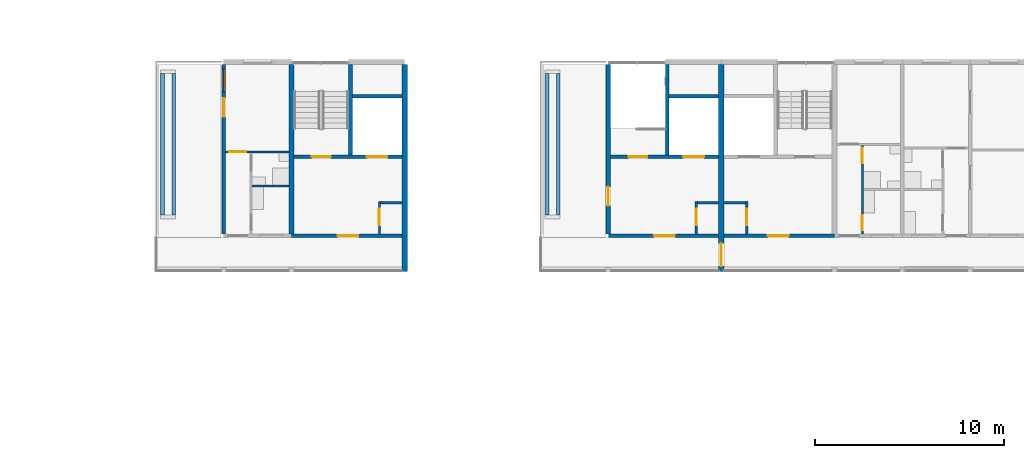
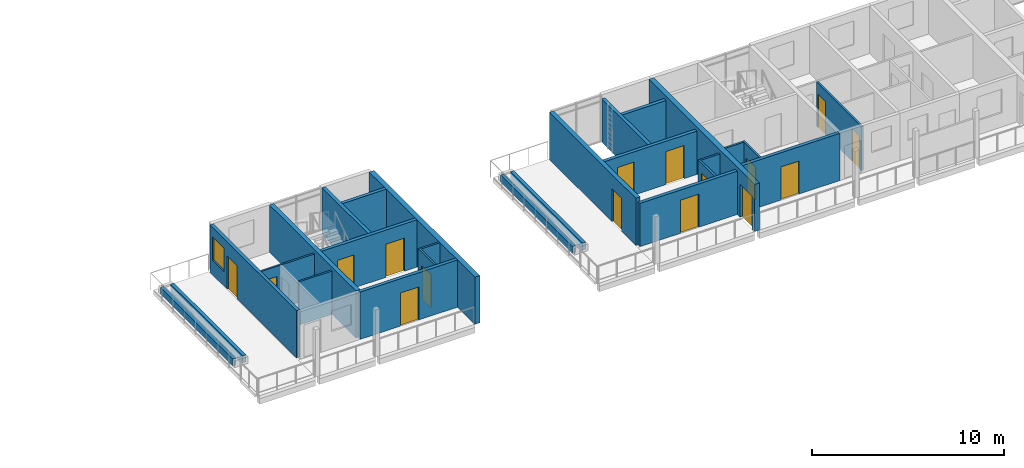
# One storey, part 52 of 87: 27 walls, 16 doors, 1 window, 17 openings.
"""IFC4 building model written with IfcOpenShell, lengths in metres."""

from ifc_helpers import new_model, si_unit, direction, frame, frame_2d, origin, place, context, subcontext, project, spatial, rectangle, extrude, material, layer, layer_set, type_object, element, fill, save


model = new_model("IFC4")

# Units and contexts
model_context = context("Model", 3, precision=1e-05, world=origin(), true_north=direction((0.0, 1.0)))
body_context = subcontext(model_context, "Body", "Model", "MODEL_VIEW")
ifc_project = project(units=[si_unit("LENGTHUNIT", "METRE"), si_unit("AREAUNIT", "SQUARE_METRE"), si_unit("VOLUMEUNIT", "CUBIC_METRE"), si_unit("PLANEANGLEUNIT", "RADIAN"), si_unit("MASSUNIT", "GRAM", prefix="KILO")], contexts=[model_context])

# Site, building, storey
site_placement = place(None, origin())
site = spatial("IfcSite", under=ifc_project, at=site_placement, CompositionType="ELEMENT")
building_placement = place(site_placement, origin())
building = spatial("IfcBuilding", under=site, at=building_placement, Name="Ridgestep Commons", CompositionType="ELEMENT")
storey_placement = place(building_placement, frame((0.0, 0.0, 27.0)))
storey = spatial("IfcBuildingStorey", under=building, at=storey_placement, Name="L09", CompositionType="ELEMENT", Elevation=27.0)

# Wall
ifc_material_1 = material(Name="Concrete C30/37", Category="concrete")
ifc_layer_1 = layer(ifc_material_1, 0.25)
ifc_layer_set_1 = layer_set([ifc_layer_1], Name="Core cross wall 250")
wall_type_1 = type_object("IfcWallType", Name="Core cross wall 250", PredefinedType="SHEAR", material=ifc_layer_set_1)
wall_1_placement = place(storey_placement, frame((157.60009765625, 68.0, 0.0), z_axis=(0.0, 0.0, 1.0), x_axis=(0.0, 1.0, 0.0)))
element("IfcWall", 1, at=wall_1_placement, inside=storey, type_object=wall_type_1, Name="Cross wall C-09-1576", PredefinedType="SHEAR", context=body_context, shape_type="SweptSolid", body=[
    extrude(rectangle(XDim=9.0, YDim=0.25, at=frame_2d((4.5, 0.0))), origin(), (0.0, 0.0, 1.0), 3.0),
])

# Wall, opening, door
ifc_material_2 = material(Name="Concrete C30/37", Category="concrete")
ifc_layer_2 = layer(ifc_material_2, 0.199951171875)
ifc_layer_set_2 = layer_set([ifc_layer_2], Name="Core south wall 200")
wall_type_2 = type_object("IfcWallType", Name="Core south wall 200", PredefinedType="SHEAR", material=ifc_layer_set_2)
wall_2_placement = place(storey_placement, frame((157.60009765625, 67.89990234375, 0.0), z_axis=(0.0, 0.0, 1.0), x_axis=(1.0, 0.0, 0.0)))
wall_2 = element("IfcWall", 2, at=wall_2_placement, inside=storey, type_object=wall_type_2, Name="Core south wall C1C L09", PredefinedType="SHEAR", context=body_context, shape_type="SweptSolid", body=[
    extrude(rectangle(XDim=5.849853515625, YDim=0.199951171875, at=frame_2d((2.9248046875, 0.0))), origin(), (0.0, 0.0, 1.0), 3.0),
])
opening_1_placement = place(wall_2_placement, frame((2.4375, 0.0, 0.0)))
opening_1 = element("IfcOpeningElement", 3, at=opening_1_placement, cuts=wall_2, Name="Opening C1C/09/1", PredefinedType="OPENING", context=body_context, shape_type="SweptSolid", body=[
    extrude(rectangle(XDim=1.10009765625, YDim=2.10009765625, at=frame_2d((0.550048828125, 1.050048828125))), frame((0.0, 0.10986328125, 0.0), z_axis=(0.0, -1.0, 0.0), x_axis=(1.0, 0.0, 0.0)), (0.0, 0.0, 1.0), 0.219970703125),
])
ifc_material_3 = material(Name="Steel fire door", Category="steel")
door_type_1 = type_object("IfcDoorType", Name="Lobby door 1100 x 2100 FD60", OperationType="NOTDEFINED", PredefinedType="DOOR", material=ifc_material_3)
door_1_placement = place(opening_1_placement, origin())
door_1 = element("IfcDoor", 4, at=door_1_placement, inside=storey, type_object=door_type_1, Name="Lobby door C1C/09/1", OperationType="SINGLE_SWING_LEFT", OverallHeight=2.10009765625, OverallWidth=1.10009765625, PredefinedType="DOOR", context=body_context, shape_type="SweptSolid", body=[
    extrude(rectangle(XDim=1.10009765625, YDim=2.10009765625, at=frame_2d((0.550048828125, 1.050048828125))), frame((0.0, 0.02490234375, 0.0), z_axis=(0.0, -1.0, 0.0), x_axis=(1.0, 0.0, 0.0)), (0.0, 0.0, 1.0), 0.050048828125),
])
fill(opening_1, door_1)

wall_3_placement = place(storey_placement, frame((174.39990234375, 67.89990234375, 0.0), z_axis=(0.0, 0.0, 1.0), x_axis=(1.0, 0.0, 0.0)))
wall_3 = element("IfcWall", 5, at=wall_3_placement, inside=storey, type_object=wall_type_2, Name="Core south wall C2C L09", PredefinedType="SHEAR", context=body_context, shape_type="SweptSolid", body=[
    extrude(rectangle(XDim=5.85009765625, YDim=0.199951171875, at=frame_2d((2.925048828125, 0.0))), origin(), (0.0, 0.0, 1.0), 2.75),
])
opening_2_placement = place(wall_3_placement, frame((2.4375, 0.0, 0.0)))
opening_2 = element("IfcOpeningElement", 6, at=opening_2_placement, cuts=wall_3, Name="Opening C2C/09/1", PredefinedType="OPENING", context=body_context, shape_type="SweptSolid", body=[
    extrude(rectangle(XDim=1.10009765625, YDim=2.10009765625, at=frame_2d((0.550048828125, 1.050048828125))), frame((0.0, 0.10986328125, 0.0), z_axis=(0.0, -1.0, 0.0), x_axis=(1.0, 0.0, 0.0)), (0.0, 0.0, 1.0), 0.219970703125),
])
door_2_placement = place(opening_2_placement, origin())
door_2 = element("IfcDoor", 7, at=door_2_placement, inside=storey, type_object=door_type_1, Name="Lobby door C2C/09/1", OperationType="SINGLE_SWING_LEFT", OverallHeight=2.10009765625, OverallWidth=1.10009765625, PredefinedType="DOOR", context=body_context, shape_type="SweptSolid", body=[
    extrude(rectangle(XDim=1.10009765625, YDim=2.10009765625, at=frame_2d((0.550048828125, 1.050048828125))), frame((0.0, 0.02490234375, 0.0), z_axis=(0.0, -1.0, 0.0), x_axis=(1.0, 0.0, 0.0)), (0.0, 0.0, 1.0), 0.050048828125),
])
fill(opening_2, door_2)

wall_4_placement = place(storey_placement, frame((180.550048828125, 67.89990234375, 0.0), z_axis=(0.0, 0.0, 1.0), x_axis=(1.0, 0.0, 0.0)))
wall_4 = element("IfcWall", 8, at=wall_4_placement, inside=storey, type_object=wall_type_2, Name="Core south wall C3C L09", PredefinedType="SHEAR", context=body_context, shape_type="SweptSolid", body=[
    extrude(rectangle(XDim=5.849853515625, YDim=0.199951171875, at=frame_2d((2.9248046875, 0.0))), origin(), (0.0, 0.0, 1.0), 3.0),
])
opening_3_placement = place(wall_4_placement, frame((2.3125, 0.0, 0.0)))
opening_3 = element("IfcOpeningElement", 9, at=opening_3_placement, cuts=wall_4, Name="Opening C3C/09/1", PredefinedType="OPENING", context=body_context, shape_type="SweptSolid", body=[
    extrude(rectangle(XDim=1.10009765625, YDim=2.10009765625, at=frame_2d((0.550048828125, 1.050048828125))), frame((0.0, 0.10986328125, 0.0), z_axis=(0.0, -1.0, 0.0), x_axis=(1.0, 0.0, 0.0)), (0.0, 0.0, 1.0), 0.219970703125),
])
door_3_placement = place(opening_3_placement, origin())
door_3 = element("IfcDoor", 10, at=door_3_placement, inside=storey, type_object=door_type_1, Name="Lobby door C3C/09/1", OperationType="SINGLE_SWING_LEFT", OverallHeight=2.10009765625, OverallWidth=1.10009765625, PredefinedType="DOOR", context=body_context, shape_type="SweptSolid", body=[
    extrude(rectangle(XDim=1.10009765625, YDim=2.10009765625, at=frame_2d((0.550048828125, 1.050048828125))), frame((0.0, 0.02490234375, 0.0), z_axis=(0.0, -1.0, 0.0), x_axis=(1.0, 0.0, 0.0)), (0.0, 0.0, 1.0), 0.050048828125),
])
fill(opening_3, door_3)

ifc_material_4 = material(Name="Concrete C30/37", Category="concrete")
ifc_layer_3 = layer(ifc_material_4, 0.1201171875)
ifc_layer_set_3 = layer_set([ifc_layer_3], Name="Core wall 120")
wall_type_3 = type_object("IfcWallType", Name="Core wall 120", PredefinedType="SHEAR", material=ifc_layer_set_3)
wall_5_placement = place(storey_placement, frame((162.260009765625, 68.0, 0.0), z_axis=(0.0, 0.0, 1.0), x_axis=(0.0, 1.0, 0.0)))
wall_5 = element("IfcWall", 11, at=wall_5_placement, inside=storey, type_object=wall_type_3, Name="Core riser w wall C1C L09", PredefinedType="SHEAR", context=body_context, shape_type="SweptSolid", body=[
    extrude(rectangle(XDim=1.719970703125, YDim=0.1201171875, at=frame_2d((0.85986328125, 0.0))), origin(), (0.0, 0.0, 1.0), 3.0),
])
opening_4_placement = place(wall_5_placement, frame((0.449951171875, 0.0, 0.0)))
opening_4 = element("IfcOpeningElement", 12, at=opening_4_placement, cuts=wall_5, Name="Opening C1C/09/4", PredefinedType="OPENING", context=body_context, shape_type="SweptSolid", body=[
    extrude(rectangle(XDim=0.89990234375, YDim=2.10009765625, at=frame_2d((0.449951171875, 1.050048828125))), frame((0.0, 0.070068359375, 0.0), z_axis=(0.0, -1.0, 0.0), x_axis=(1.0, 0.0, 0.0)), (0.0, 0.0, 1.0), 0.14013671875),
])
ifc_material_5 = material(Name="Steel fire door", Category="steel")
door_type_2 = type_object("IfcDoorType", Name="Riser door 900 x 2100 FD60", OperationType="NOTDEFINED", PredefinedType="DOOR", material=ifc_material_5)
door_4_placement = place(opening_4_placement, origin())
door_4 = element("IfcDoor", 13, at=door_4_placement, inside=storey, type_object=door_type_2, Name="Riser door C1C/09/4", OperationType="SINGLE_SWING_LEFT", OverallHeight=2.10009765625, OverallWidth=0.89990234375, PredefinedType="DOOR", context=body_context, shape_type="SweptSolid", body=[
    extrude(rectangle(XDim=0.89990234375, YDim=2.10009765625, at=frame_2d((0.449951171875, 1.050048828125))), frame((0.0, 0.02490234375, 0.0), z_axis=(0.0, -1.0, 0.0), x_axis=(1.0, 0.0, 0.0)), (0.0, 0.0, 1.0), 0.050048828125),
])
fill(opening_4, door_4)

# Wall
wall_6_placement = place(storey_placement, frame((162.320068359375, 69.659912109375, 0.0), z_axis=(0.0, 0.0, 1.0), x_axis=(1.0, 0.0, 0.0)))
element("IfcWall", 14, at=wall_6_placement, inside=storey, type_object=wall_type_3, Name="Core riser n wall C1C L09", PredefinedType="SHEAR", context=body_context, shape_type="SweptSolid", body=[
    extrude(rectangle(XDim=1.1298828125, YDim=0.1201171875, at=frame_2d((0.56494140625, 0.0))), origin(), (0.0, 0.0, 1.0), 3.0),
])

# Wall, opening, door
wall_7_placement = place(storey_placement, frame((179.06005859375, 68.0, 0.0), z_axis=(0.0, 0.0, 1.0), x_axis=(0.0, 1.0, 0.0)))
wall_7 = element("IfcWall", 15, at=wall_7_placement, inside=storey, type_object=wall_type_3, Name="Core riser w wall C2C L09", PredefinedType="SHEAR", context=body_context, shape_type="SweptSolid", body=[
    extrude(rectangle(XDim=1.719970703125, YDim=0.1201171875, at=frame_2d((0.85986328125, 0.0))), origin(), (0.0, 0.0, 1.0), 2.75),
])
opening_5_placement = place(wall_7_placement, frame((0.449951171875, 0.0, 0.0)))
opening_5 = element("IfcOpeningElement", 16, at=opening_5_placement, cuts=wall_7, Name="Opening C2C/09/4", PredefinedType="OPENING", context=body_context, shape_type="SweptSolid", body=[
    extrude(rectangle(XDim=0.89990234375, YDim=2.10009765625, at=frame_2d((0.449951171875, 1.050048828125))), frame((0.0, 0.070068359375, 0.0), z_axis=(0.0, -1.0, 0.0), x_axis=(1.0, 0.0, 0.0)), (0.0, 0.0, 1.0), 0.14013671875),
])
door_5_placement = place(opening_5_placement, origin())
door_5 = element("IfcDoor", 17, at=door_5_placement, inside=storey, type_object=door_type_2, Name="Riser door C2C/09/4", OperationType="SINGLE_SWING_LEFT", OverallHeight=2.10009765625, OverallWidth=0.89990234375, PredefinedType="DOOR", context=body_context, shape_type="SweptSolid", body=[
    extrude(rectangle(XDim=0.89990234375, YDim=2.10009765625, at=frame_2d((0.449951171875, 1.050048828125))), frame((0.0, 0.02490234375, 0.0), z_axis=(0.0, -1.0, 0.0), x_axis=(1.0, 0.0, 0.0)), (0.0, 0.0, 1.0), 0.050048828125),
])
fill(opening_5, door_5)

# Wall
wall_8_placement = place(storey_placement, frame((179.1201171875, 69.659912109375, 0.0), z_axis=(0.0, 0.0, 1.0), x_axis=(1.0, 0.0, 0.0)))
element("IfcWall", 18, at=wall_8_placement, inside=storey, type_object=wall_type_3, Name="Core riser n wall C2C L09", PredefinedType="SHEAR", context=body_context, shape_type="SweptSolid", body=[
    extrude(rectangle(XDim=1.1298828125, YDim=0.1201171875, at=frame_2d((0.56494140625, 0.0))), origin(), (0.0, 0.0, 1.0), 2.75),
])

# Wall, opening, door
wall_9_placement = place(storey_placement, frame((181.739990234375, 68.0, 0.0), z_axis=(0.0, 0.0, 1.0), x_axis=(0.0, 1.0, 0.0)))
wall_9 = element("IfcWall", 19, at=wall_9_placement, inside=storey, type_object=wall_type_3, Name="Core riser w wall C3C L09", PredefinedType="SHEAR", context=body_context, shape_type="SweptSolid", body=[
    extrude(rectangle(XDim=1.719970703125, YDim=0.1201171875, at=frame_2d((0.85986328125, 0.0))), origin(), (0.0, 0.0, 1.0), 3.0),
])
opening_6_placement = place(wall_9_placement, frame((0.449951171875, 0.0, 0.0)))
opening_6 = element("IfcOpeningElement", 20, at=opening_6_placement, cuts=wall_9, Name="Opening C3C/09/4", PredefinedType="OPENING", context=body_context, shape_type="SweptSolid", body=[
    extrude(rectangle(XDim=0.89990234375, YDim=2.10009765625, at=frame_2d((0.449951171875, 1.050048828125))), frame((0.0, 0.070068359375, 0.0), z_axis=(0.0, -1.0, 0.0), x_axis=(1.0, 0.0, 0.0)), (0.0, 0.0, 1.0), 0.14013671875),
])
door_6_placement = place(opening_6_placement, origin())
door_6 = element("IfcDoor", 21, at=door_6_placement, inside=storey, type_object=door_type_2, Name="Riser door C3C/09/4", OperationType="SINGLE_SWING_RIGHT", OverallHeight=2.10009765625, OverallWidth=0.89990234375, PredefinedType="DOOR", context=body_context, shape_type="SweptSolid", body=[
    extrude(rectangle(XDim=0.89990234375, YDim=2.10009765625, at=frame_2d((0.449951171875, 1.050048828125))), frame((0.0, 0.02490234375, 0.0), z_axis=(0.0, -1.0, 0.0), x_axis=(1.0, 0.0, 0.0)), (0.0, 0.0, 1.0), 0.050048828125),
])
fill(opening_6, door_6)

# Wall
wall_10_placement = place(storey_placement, frame((180.550048828125, 69.659912109375, 0.0), z_axis=(0.0, 0.0, 1.0), x_axis=(1.0, 0.0, 0.0)))
element("IfcWall", 22, at=wall_10_placement, inside=storey, type_object=wall_type_3, Name="Core riser n wall C3C L09", PredefinedType="SHEAR", context=body_context, shape_type="SweptSolid", body=[
    extrude(rectangle(XDim=1.1298828125, YDim=0.1201171875, at=frame_2d((0.56494140625, 0.0))), origin(), (0.0, 0.0, 1.0), 3.0),
])

# Wall, openings, doors
ifc_material_6 = material(Name="Concrete C30/37", Category="concrete")
ifc_layer_4 = layer(ifc_material_6, 0.199951171875)
ifc_layer_set_4 = layer_set([ifc_layer_4], Name="Core wall 200")
wall_type_4 = type_object("IfcWallType", Name="Core wall 200", PredefinedType="SHEAR", material=ifc_layer_set_4)
wall_11_placement = place(storey_placement, frame((157.72509765625, 72.10009765625, 0.0), z_axis=(0.0, 0.0, 1.0), x_axis=(1.0, 0.0, 0.0)))
wall_11 = element("IfcWall", 23, at=wall_11_placement, inside=storey, type_object=wall_type_4, Name="Core lobby wall C1C L09", PredefinedType="SHEAR", context=body_context, shape_type="SweptSolid", body=[
    extrude(rectangle(XDim=5.724853515625, YDim=0.199951171875, at=frame_2d((2.8623046875, 0.0))), origin(), (0.0, 0.0, 1.0), 3.0),
])
opening_7_placement = place(wall_11_placement, frame((0.949951171875, 0.0, 0.0)))
opening_7 = element("IfcOpeningElement", 24, at=opening_7_placement, cuts=wall_11, Name="Opening C1C/09/2", PredefinedType="OPENING", context=body_context, shape_type="SweptSolid", body=[
    extrude(rectangle(XDim=1.0, YDim=2.10009765625, at=frame_2d((0.5, 1.050048828125))), frame((0.0, 0.10986328125, 0.0), z_axis=(0.0, -1.0, 0.0), x_axis=(1.0, 0.0, 0.0)), (0.0, 0.0, 1.0), 0.219970703125),
])
opening_8_placement = place(wall_11_placement, frame((3.862548828125, 0.0, 0.0)))
opening_8 = element("IfcOpeningElement", 25, at=opening_8_placement, cuts=wall_11, Name="Opening C1C/09/3", PredefinedType="OPENING", context=body_context, shape_type="SweptSolid", body=[
    extrude(rectangle(XDim=1.10009765625, YDim=2.10009765625, at=frame_2d((0.550048828125, 1.050048828125))), frame((0.0, 0.10986328125, 0.0), z_axis=(0.0, -1.0, 0.0), x_axis=(1.0, 0.0, 0.0)), (0.0, 0.0, 1.0), 0.219970703125),
])
ifc_material_7 = material(Name="Stainless steel", Category="steel")
door_type_3 = type_object("IfcDoorType", Name="Lift landing door 1100 x 2100 FD60", OperationType="DOUBLE_DOOR_SLIDING", PredefinedType="DOOR", material=ifc_material_7)
door_7_placement = place(opening_8_placement, origin())
door_7 = element("IfcDoor", 26, at=door_7_placement, inside=storey, type_object=door_type_3, Name="Landing door LD C1C L09", OperationType="DOUBLE_DOOR_SLIDING", OverallHeight=2.10009765625, OverallWidth=1.10009765625, PredefinedType="DOOR", context=body_context, shape_type="SweptSolid", body=[
    extrude(rectangle(XDim=1.10009765625, YDim=2.10009765625, at=frame_2d((0.550048828125, 1.050048828125))), frame((0.0, 0.02490234375, 0.0), z_axis=(0.0, -1.0, 0.0), x_axis=(1.0, 0.0, 0.0)), (0.0, 0.0, 1.0), 0.050048828125),
])
fill(opening_8, door_7)
ifc_material_8 = material(Name="Steel fire door", Category="steel")
door_type_4 = type_object("IfcDoorType", Name="Stair door 1000 x 2100 FD60", OperationType="NOTDEFINED", PredefinedType="DOOR", material=ifc_material_8)
door_8_placement = place(opening_7_placement, origin())
door_8 = element("IfcDoor", 27, at=door_8_placement, inside=storey, type_object=door_type_4, Name="Stair door C1C/09/2", OperationType="SINGLE_SWING_RIGHT", OverallHeight=2.10009765625, OverallWidth=1.0, PredefinedType="DOOR", context=body_context, shape_type="SweptSolid", body=[
    extrude(rectangle(XDim=1.0, YDim=2.10009765625, at=frame_2d((0.5, 1.050048828125))), frame((0.0, 0.02490234375, 0.0), z_axis=(0.0, -1.0, 0.0), x_axis=(1.0, 0.0, 0.0)), (0.0, 0.0, 1.0), 0.050048828125),
])
fill(opening_7, door_8)

# Walls
wall_12_placement = place(storey_placement, frame((160.72509765625, 72.199951171875, 0.0), z_axis=(0.0, 0.0, 1.0), x_axis=(0.0, 1.0, 0.0)))
element("IfcWall", 28, at=wall_12_placement, inside=storey, type_object=wall_type_4, Name="Core stair wall C1C L09", PredefinedType="SHEAR", context=body_context, shape_type="SweptSolid", body=[
    extrude(rectangle(XDim=4.800048828125, YDim=0.199951171875, at=frame_2d((2.39990234375, 0.0))), origin(), (0.0, 0.0, 1.0), 3.0),
])
wall_13_placement = place(storey_placement, frame((160.824951171875, 75.300048828125, 0.0), z_axis=(0.0, 0.0, 1.0), x_axis=(1.0, 0.0, 0.0)))
element("IfcWall", 29, at=wall_13_placement, inside=storey, type_object=wall_type_4, Name="Core duct wall C1C L09", PredefinedType="SHEAR", context=body_context, shape_type="SweptSolid", body=[
    extrude(rectangle(XDim=2.625, YDim=0.199951171875, at=frame_2d((1.3125, 0.0))), origin(), (0.0, 0.0, 1.0), 3.0),
])

# Wall, openings, doors
wall_14_placement = place(storey_placement, frame((174.52490234375, 72.10009765625, 0.0), z_axis=(0.0, 0.0, 1.0), x_axis=(1.0, 0.0, 0.0)))
wall_14 = element("IfcWall", 30, at=wall_14_placement, inside=storey, type_object=wall_type_4, Name="Core lobby wall C2C L09", PredefinedType="SHEAR", context=body_context, shape_type="SweptSolid", body=[
    extrude(rectangle(XDim=5.72509765625, YDim=0.199951171875, at=frame_2d((2.862548828125, 0.0))), origin(), (0.0, 0.0, 1.0), 2.75),
])
opening_9_placement = place(wall_14_placement, frame((0.949951171875, 0.0, 0.0)))
opening_9 = element("IfcOpeningElement", 31, at=opening_9_placement, cuts=wall_14, Name="Opening C2C/09/2", PredefinedType="OPENING", context=body_context, shape_type="SweptSolid", body=[
    extrude(rectangle(XDim=1.0, YDim=2.10009765625, at=frame_2d((0.5, 1.050048828125))), frame((0.0, 0.10986328125, 0.0), z_axis=(0.0, -1.0, 0.0), x_axis=(1.0, 0.0, 0.0)), (0.0, 0.0, 1.0), 0.219970703125),
])
opening_10_placement = place(wall_14_placement, frame((3.862548828125, 0.0, 0.0)))
opening_10 = element("IfcOpeningElement", 32, at=opening_10_placement, cuts=wall_14, Name="Opening C2C/09/3", PredefinedType="OPENING", context=body_context, shape_type="SweptSolid", body=[
    extrude(rectangle(XDim=1.10009765625, YDim=2.10009765625, at=frame_2d((0.550048828125, 1.050048828125))), frame((0.0, 0.10986328125, 0.0), z_axis=(0.0, -1.0, 0.0), x_axis=(1.0, 0.0, 0.0)), (0.0, 0.0, 1.0), 0.219970703125),
])
door_9_placement = place(opening_10_placement, origin())
door_9 = element("IfcDoor", 33, at=door_9_placement, inside=storey, type_object=door_type_3, Name="Landing door LD C2C L09", OperationType="DOUBLE_DOOR_SLIDING", OverallHeight=2.10009765625, OverallWidth=1.10009765625, PredefinedType="DOOR", context=body_context, shape_type="SweptSolid", body=[
    extrude(rectangle(XDim=1.10009765625, YDim=2.10009765625, at=frame_2d((0.550048828125, 1.050048828125))), frame((0.0, 0.02490234375, 0.0), z_axis=(0.0, -1.0, 0.0), x_axis=(1.0, 0.0, 0.0)), (0.0, 0.0, 1.0), 0.050048828125),
])
fill(opening_10, door_9)
door_10_placement = place(opening_9_placement, origin())
door_10 = element("IfcDoor", 34, at=door_10_placement, inside=storey, type_object=door_type_4, Name="Stair door C2C/09/2", OperationType="SINGLE_SWING_RIGHT", OverallHeight=2.10009765625, OverallWidth=1.0, PredefinedType="DOOR", context=body_context, shape_type="SweptSolid", body=[
    extrude(rectangle(XDim=1.0, YDim=2.10009765625, at=frame_2d((0.5, 1.050048828125))), frame((0.0, 0.02490234375, 0.0), z_axis=(0.0, -1.0, 0.0), x_axis=(1.0, 0.0, 0.0)), (0.0, 0.0, 1.0), 0.050048828125),
])
fill(opening_9, door_10)

# Walls
wall_15_placement = place(storey_placement, frame((177.52490234375, 72.199951171875, 0.0), z_axis=(0.0, 0.0, 1.0), x_axis=(0.0, 1.0, 0.0)))
element("IfcWall", 35, at=wall_15_placement, inside=storey, type_object=wall_type_4, Name="Core stair wall C2C L09", PredefinedType="SHEAR", context=body_context, shape_type="SweptSolid", body=[
    extrude(rectangle(XDim=4.800048828125, YDim=0.199951171875, at=frame_2d((2.39990234375, 0.0))), origin(), (0.0, 0.0, 1.0), 2.75),
])
wall_16_placement = place(storey_placement, frame((177.625, 75.300048828125, 0.0), z_axis=(0.0, 0.0, 1.0), x_axis=(1.0, 0.0, 0.0)))
element("IfcWall", 36, at=wall_16_placement, inside=storey, type_object=wall_type_4, Name="Core duct wall C2C L09", PredefinedType="SHEAR", context=body_context, shape_type="SweptSolid", body=[
    extrude(rectangle(XDim=2.625, YDim=0.199951171875, at=frame_2d((1.3125, 0.0))), origin(), (0.0, 0.0, 1.0), 2.75),
])

# Wall, opening, door
ifc_material_9 = material(Name="Precast concrete C40/50", Category="concrete")
ifc_layer_5 = layer(ifc_material_9, 0.300048828125)
ifc_layer_set_5 = layer_set([ifc_layer_5], Name="Division wall 300")
wall_type_5 = type_object("IfcWallType", Name="Division wall 300", PredefinedType="SHEAR", material=ifc_layer_set_5)
wall_17_placement = place(storey_placement, frame((180.39990234375, 66.0, 0.0), z_axis=(0.0, 0.0, 1.0), x_axis=(0.0, 1.0, 0.0)))
wall_17 = element("IfcWall", 37, at=wall_17_placement, inside=storey, type_object=wall_type_5, Name="Cross wall C-09-1804", PredefinedType="SHEAR", context=body_context, shape_type="SweptSolid", body=[
    extrude(rectangle(XDim=11.0, YDim=0.300048828125, at=frame_2d((5.5, 0.0))), origin(), (0.0, 0.0, 1.0), 3.0),
])
opening_11_placement = place(wall_17_placement, frame((0.300048828125, 0.0, 0.0)))
opening_11 = element("IfcOpeningElement", 38, at=opening_11_placement, cuts=wall_17, Name="Opening C/09/G1804", PredefinedType="OPENING", context=body_context, shape_type="SweptSolid", body=[
    extrude(rectangle(XDim=1.199951171875, YDim=2.10009765625, at=frame_2d((0.60009765625, 1.050048828125))), frame((0.0, 0.159912109375, 0.0), z_axis=(0.0, -1.0, 0.0), x_axis=(1.0, 0.0, 0.0)), (0.0, 0.0, 1.0), 0.320068359375),
])
ifc_material_10 = material(Name="Steel fire door", Category="steel")
door_type_5 = type_object("IfcDoorType", Name="Division fire door 1200 x 2100 EI 240", OperationType="DOUBLE_DOOR_SINGLE_SWING", PredefinedType="DOOR", material=ifc_material_10)
door_11_placement = place(opening_11_placement, origin())
door_11 = element("IfcDoor", 39, at=door_11_placement, inside=storey, type_object=door_type_5, Name="Division fire door C/09/G1804", OperationType="DOUBLE_DOOR_SINGLE_SWING", OverallHeight=2.10009765625, OverallWidth=1.199951171875, PredefinedType="DOOR", context=body_context, shape_type="SweptSolid", body=[
    extrude(rectangle(XDim=1.199951171875, YDim=2.10009765625, at=frame_2d((0.60009765625, 1.050048828125))), frame((0.0, 0.02490234375, 0.0), z_axis=(0.0, -1.0, 0.0), x_axis=(1.0, 0.0, 0.0)), (0.0, 0.0, 1.0), 0.050048828125),
])
fill(opening_11, door_11)

ifc_material_11 = material(Name="Concrete C30/37", Category="concrete")
ifc_layer_6 = layer(ifc_material_11, 0.25)
ifc_layer_set_6 = layer_set([ifc_layer_6], Name="Exposed core cross wall 250")
wall_type_6 = type_object("IfcWallType", Name="Exposed core cross wall 250", PredefinedType="SHEAR", material=ifc_layer_set_6)
wall_18_placement = place(storey_placement, frame((174.39990234375, 68.0, 0.0), z_axis=(0.0, 0.0, 1.0), x_axis=(0.0, 1.0, 0.0)))
wall_18 = element("IfcWall", 40, at=wall_18_placement, inside=storey, type_object=wall_type_6, Name="Cross wall C-09-1744", PredefinedType="SHEAR", context=body_context, shape_type="SweptSolid", body=[
    extrude(rectangle(XDim=9.0, YDim=0.25, at=frame_2d((4.5, 0.0))), origin(), (0.0, 0.0, 1.0), 3.0),
])
opening_12_placement = place(wall_18_placement, frame((1.5, 0.0, 0.0)))
opening_12 = element("IfcOpeningElement", 41, at=opening_12_placement, cuts=wall_18, Name="Opening C2C/09/T", PredefinedType="OPENING", context=body_context, shape_type="SweptSolid", body=[
    extrude(rectangle(XDim=1.0, YDim=2.10009765625, at=frame_2d((0.5, 1.050048828125))), frame((0.0, 0.135009765625, 0.0), z_axis=(0.0, -1.0, 0.0), x_axis=(1.0, 0.0, 0.0)), (0.0, 0.0, 1.0), 0.27001953125),
])
ifc_material_12 = material(Name="Aluminium and glass", Category="aluminium")
door_type_6 = type_object("IfcDoorType", Name="Terrace door 1000 x 2100 FD60", OperationType="NOTDEFINED", PredefinedType="DOOR", material=ifc_material_12)
door_12_placement = place(opening_12_placement, origin())
door_12 = element("IfcDoor", 42, at=door_12_placement, inside=storey, type_object=door_type_6, Name="Terrace door C2C/09/T", OperationType="SINGLE_SWING_LEFT", OverallHeight=2.10009765625, OverallWidth=1.0, PredefinedType="DOOR", context=body_context, shape_type="SweptSolid", body=[
    extrude(rectangle(XDim=1.0, YDim=2.10009765625, at=frame_2d((0.5, 1.050048828125))), frame((0.0, 0.02490234375, 0.0), z_axis=(0.0, -1.0, 0.0), x_axis=(1.0, 0.0, 0.0)), (0.0, 0.0, 1.0), 0.050048828125),
])
fill(opening_12, door_12)

# Wall, openings, window, door
ifc_material_13 = material(Name="Precast concrete C40/50", Category="concrete")
ifc_layer_7 = layer(ifc_material_13, 0.199951171875)
ifc_layer_set_7 = layer_set([ifc_layer_7], Name="Exposed cross wall 200")
wall_type_7 = type_object("IfcWallType", Name="Exposed cross wall 200", PredefinedType="SHEAR", material=ifc_layer_set_7)
wall_19_placement = place(storey_placement, frame((154.0, 68.0, 0.0), z_axis=(0.0, 0.0, 1.0), x_axis=(0.0, 1.0, 0.0)))
wall_19 = element("IfcWall", 43, at=wall_19_placement, inside=storey, type_object=wall_type_7, Name="Cross wall C-09-1540", PredefinedType="SHEAR", context=body_context, shape_type="SweptSolid", body=[
    extrude(rectangle(XDim=9.0, YDim=0.199951171875, at=frame_2d((4.5, 0.0))), origin(), (0.0, 0.0, 1.0), 3.0),
])
opening_13_placement = place(wall_19_placement, frame((7.552490234375, 0.0, 0.89990234375)))
opening_13 = element("IfcOpeningElement", 44, at=opening_13_placement, cuts=wall_19, Name="Opening W10", PredefinedType="OPENING", context=body_context, shape_type="SweptSolid", body=[
    extrude(rectangle(XDim=1.199951171875, YDim=1.5, at=frame_2d((0.60009765625, 0.75))), frame((0.0, 0.10986328125, 0.0), z_axis=(0.0, -1.0, 0.0), x_axis=(1.0, 0.0, 0.0)), (0.0, 0.0, 1.0), 0.219970703125),
])
opening_14_placement = place(wall_19_placement, frame((6.205078125, 0.0, 0.0)))
opening_14 = element("IfcOpeningElement", 45, at=opening_14_placement, cuts=wall_19, Name="Opening C1-09a/5", PredefinedType="OPENING", context=body_context, shape_type="SweptSolid", body=[
    extrude(rectangle(XDim=1.0, YDim=2.10009765625, at=frame_2d((0.5, 1.050048828125))), frame((0.0, 0.10986328125, 0.0), z_axis=(0.0, -1.0, 0.0), x_axis=(1.0, 0.0, 0.0)), (0.0, 0.0, 1.0), 0.219970703125),
])
ifc_material_14 = material(Name="Aluminium 6063-T6 and glass", Category="aluminium")
window_type = type_object("IfcWindowType", Name="Flat window 1200 x 1500", PartitioningType="SINGLE_PANEL", PredefinedType="WINDOW", material=ifc_material_14)
window_placement = place(opening_13_placement, origin())
window = element("IfcWindow", 46, at=window_placement, inside=storey, type_object=window_type, Name="Window C1-09a 3", OverallHeight=1.5, OverallWidth=1.199951171875, PartitioningType="SINGLE_PANEL", PredefinedType="WINDOW", context=body_context, shape_type="SweptSolid", body=[
    extrude(rectangle(XDim=1.199951171875, YDim=1.5, at=frame_2d((0.60009765625, 0.75))), frame((0.0, 0.0, 0.0), z_axis=(0.0, -1.0, 0.0), x_axis=(1.0, 0.0, 0.0)), (0.0, 0.0, 1.0), 0.06005859375),
])
fill(opening_13, window)
ifc_material_15 = material(Name="Aluminium and glass", Category="aluminium")
door_type_7 = type_object("IfcDoorType", Name="Terrace door 1000 x 2100", OperationType="NOTDEFINED", PredefinedType="DOOR", material=ifc_material_15)
door_13_placement = place(opening_14_placement, origin())
door_13 = element("IfcDoor", 47, at=door_13_placement, inside=storey, type_object=door_type_7, Name="Terrace door C1-09a/5", OperationType="SINGLE_SWING_RIGHT", OverallHeight=2.10009765625, OverallWidth=1.0, PredefinedType="DOOR", context=body_context, shape_type="SweptSolid", body=[
    extrude(rectangle(XDim=1.0, YDim=2.10009765625, at=frame_2d((0.5, 1.050048828125))), frame((0.0, 0.02490234375, 0.0), z_axis=(0.0, -1.0, 0.0), x_axis=(1.0, 0.0, 0.0)), (0.0, 0.0, 1.0), 0.050048828125),
])
fill(opening_14, door_13)

# Walls
ifc_material_16 = material(Name="Precast concrete C40/50", Category="concrete")
ifc_layer_8 = layer(ifc_material_16, 0.300048828125)
ifc_layer_set_8 = layer_set([ifc_layer_8], Name="Exposed division wall 300")
wall_type_8 = type_object("IfcWallType", Name="Exposed division wall 300", PredefinedType="SHEAR", material=ifc_layer_set_8)
wall_20_placement = place(storey_placement, frame((163.60009765625, 66.0, 0.0), z_axis=(0.0, 0.0, 1.0), x_axis=(0.0, 1.0, 0.0)))
element("IfcWall", 48, at=wall_20_placement, inside=storey, type_object=wall_type_8, Name="Cross wall C-09-1636", PredefinedType="SHEAR", context=body_context, shape_type="SweptSolid", body=[
    extrude(rectangle(XDim=11.0, YDim=0.300048828125, at=frame_2d((5.5, 0.0))), origin(), (0.0, 0.0, 1.0), 3.0),
])
ifc_material_17 = material(Name="Common brick 110 mm", Category="masonry")
ifc_layer_9 = layer(ifc_material_17, 0.110107421875)
ifc_layer_set_9 = layer_set([ifc_layer_9], Name="Partition 110")
wall_type_9 = type_object("IfcWallType", Name="Partition 110", PredefinedType="PARTITIONING", material=ifc_layer_set_9)
wall_21_placement = place(storey_placement, frame((155.510009765625, 70.554931640625, 0.0), z_axis=(0.0, 0.0, 1.0), x_axis=(1.0, 0.0, 0.0)))
element("IfcWall", 49, at=wall_21_placement, inside=storey, type_object=wall_type_9, Name="Partition C1-09a", PredefinedType="PARTITIONING", context=body_context, shape_type="SweptSolid", body=[
    extrude(rectangle(XDim=1.965087890625, YDim=0.110107421875, at=frame_2d((0.982421875, 0.0))), origin(), (0.0, 0.0, 1.0), 2.75),
])

# Wall, opening, door
wall_22_placement = place(storey_placement, frame((154.10009765625, 72.35498046875, 0.0), z_axis=(0.0, 0.0, 1.0), x_axis=(1.0, 0.0, 0.0)))
wall_22 = element("IfcWall", 50, at=wall_22_placement, inside=storey, type_object=wall_type_9, Name="Partition C1-09a", PredefinedType="PARTITIONING", context=body_context, shape_type="SweptSolid", body=[
    extrude(rectangle(XDim=3.375, YDim=0.110107421875, at=frame_2d((1.6875, 0.0))), origin(), (0.0, 0.0, 1.0), 2.75),
])
opening_15_placement = place(wall_22_placement, frame((0.199951171875, 0.0, 0.0)))
opening_15 = element("IfcOpeningElement", 51, at=opening_15_placement, cuts=wall_22, Name="Opening C1-09a/4", PredefinedType="OPENING", context=body_context, shape_type="SweptSolid", body=[
    extrude(rectangle(XDim=0.89990234375, YDim=2.10009765625, at=frame_2d((0.449951171875, 1.050048828125))), frame((0.0, 0.06494140625, 0.0), z_axis=(0.0, -1.0, 0.0), x_axis=(1.0, 0.0, 0.0)), (0.0, 0.0, 1.0), 0.130126953125),
])
ifc_material_18 = material(Name="Timber door leaf", Category="wood")
door_type_8 = type_object("IfcDoorType", Name="Internal door 900 x 2100", OperationType="NOTDEFINED", PredefinedType="DOOR", material=ifc_material_18)
door_14_placement = place(opening_15_placement, origin())
door_14 = element("IfcDoor", 52, at=door_14_placement, inside=storey, type_object=door_type_8, Name="Internal door C1-09a/4", OperationType="SINGLE_SWING_LEFT", OverallHeight=2.10009765625, OverallWidth=0.89990234375, PredefinedType="DOOR", context=body_context, shape_type="SweptSolid", body=[
    extrude(rectangle(XDim=0.89990234375, YDim=2.10009765625, at=frame_2d((0.449951171875, 1.050048828125))), frame((0.0, 0.02490234375, 0.0), z_axis=(0.0, -1.0, 0.0), x_axis=(1.0, 0.0, 0.0)), (0.0, 0.0, 1.0), 0.050048828125),
])
fill(opening_15, door_14)

# Wall, openings, doors
wall_23_placement = place(storey_placement, frame((187.8798828125, 68.0, 0.0), z_axis=(0.0, 0.0, 1.0), x_axis=(0.0, 1.0, 0.0)))
wall_23 = element("IfcWall", 53, at=wall_23_placement, inside=storey, type_object=wall_type_9, Name="Partition C3-09b", PredefinedType="PARTITIONING", context=body_context, shape_type="SweptSolid", body=[
    extrude(rectangle(XDim=4.699951171875, YDim=0.110107421875, at=frame_2d((2.35009765625, 0.0))), origin(), (0.0, 0.0, 1.0), 2.800048828125),
])
opening_16_placement = place(wall_23_placement, frame((0.199951171875, 0.0, 0.0)))
opening_16 = element("IfcOpeningElement", 54, at=opening_16_placement, cuts=wall_23, Name="Opening C3-09b/2", PredefinedType="OPENING", context=body_context, shape_type="SweptSolid", body=[
    extrude(rectangle(XDim=0.800048828125, YDim=2.10009765625, at=frame_2d((0.39990234375, 1.050048828125))), frame((0.0, 0.06494140625, 0.0), z_axis=(0.0, -1.0, 0.0), x_axis=(1.0, 0.0, 0.0)), (0.0, 0.0, 1.0), 0.130126953125),
])
opening_17_placement = place(wall_23_placement, frame((3.75, 0.0, 0.0)))
opening_17 = element("IfcOpeningElement", 55, at=opening_17_placement, cuts=wall_23, Name="Opening C3-09b/3", PredefinedType="OPENING", context=body_context, shape_type="SweptSolid", body=[
    extrude(rectangle(XDim=0.800048828125, YDim=2.10009765625, at=frame_2d((0.39990234375, 1.050048828125))), frame((0.0, 0.06494140625, 0.0), z_axis=(0.0, -1.0, 0.0), x_axis=(1.0, 0.0, 0.0)), (0.0, 0.0, 1.0), 0.130126953125),
])
ifc_material_19 = material(Name="Timber door leaf", Category="wood")
door_type_9 = type_object("IfcDoorType", Name="Internal door 800 x 2100", OperationType="NOTDEFINED", PredefinedType="DOOR", material=ifc_material_19)
door_15_placement = place(opening_16_placement, origin())
door_15 = element("IfcDoor", 56, at=door_15_placement, inside=storey, type_object=door_type_9, Name="Internal door C3-09b/2", OperationType="SINGLE_SWING_RIGHT", OverallHeight=2.10009765625, OverallWidth=0.800048828125, PredefinedType="DOOR", context=body_context, shape_type="SweptSolid", body=[
    extrude(rectangle(XDim=0.800048828125, YDim=2.10009765625, at=frame_2d((0.39990234375, 1.050048828125))), frame((0.0, 0.02490234375, 0.0), z_axis=(0.0, -1.0, 0.0), x_axis=(1.0, 0.0, 0.0)), (0.0, 0.0, 1.0), 0.050048828125),
])
fill(opening_16, door_15)
door_16_placement = place(opening_17_placement, origin())
door_16 = element("IfcDoor", 57, at=door_16_placement, inside=storey, type_object=door_type_9, Name="Internal door C3-09b/3", OperationType="SINGLE_SWING_LEFT", OverallHeight=2.10009765625, OverallWidth=0.800048828125, PredefinedType="DOOR", context=body_context, shape_type="SweptSolid", body=[
    extrude(rectangle(XDim=0.800048828125, YDim=2.10009765625, at=frame_2d((0.39990234375, 1.050048828125))), frame((0.0, 0.02490234375, 0.0), z_axis=(0.0, -1.0, 0.0), x_axis=(1.0, 0.0, 0.0)), (0.0, 0.0, 1.0), 0.050048828125),
])
fill(opening_17, door_16)

# Walls
ifc_material_20 = material(Name="Facing brick", Category="masonry")
ifc_layer_10 = layer(ifc_material_20, 0.199951171875)
ifc_layer_set_10 = layer_set([ifc_layer_10], Name="Planter wall 200")
wall_type_10 = type_object("IfcWallType", Name="Planter wall 200", PredefinedType="SOLIDWALL", material=ifc_layer_set_10)
for number, where, z_axis, x_axis, name in (
    (58, (150.75, 69.0, 0.010009765625), (0.0, 0.0, 1.0), (0.0, 1.0, 0.0), "Planter wall C1R2W"),
    (59, (151.35009765625, 69.0, 0.010009765625), (0.0, 0.0, 1.0), (0.0, 1.0, 0.0), "Planter wall C1R2E"),
    (60, (171.14990234375, 69.0, 0.010009765625), (0.0, 0.0, 1.0), (0.0, 1.0, 0.0), "Planter wall C2R3W"),
    (61, (171.75, 69.0, 0.010009765625), (0.0, 0.0, 1.0), (0.0, 1.0, 0.0), "Planter wall C2R3E"),
):
    element("IfcWall", number, at=place(storey_placement, frame(where, z_axis=z_axis, x_axis=x_axis)), inside=storey, type_object=wall_type_10, Name=name, PredefinedType="SOLIDWALL", context=body_context, shape_type="SweptSolid", body=[
        extrude(rectangle(XDim=7.5, YDim=0.199951171875, at=frame_2d((3.75, 0.0))), origin(), (0.0, 0.0, 1.0), 0.449951171875),
    ])

save(model, "model.ifc")
